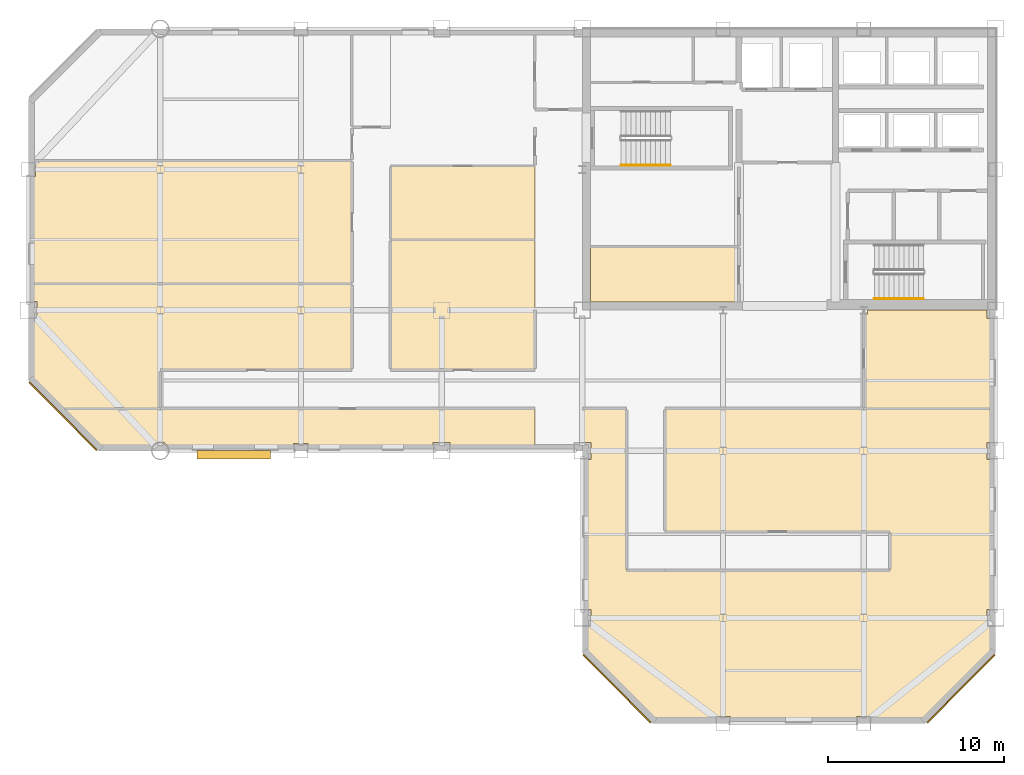
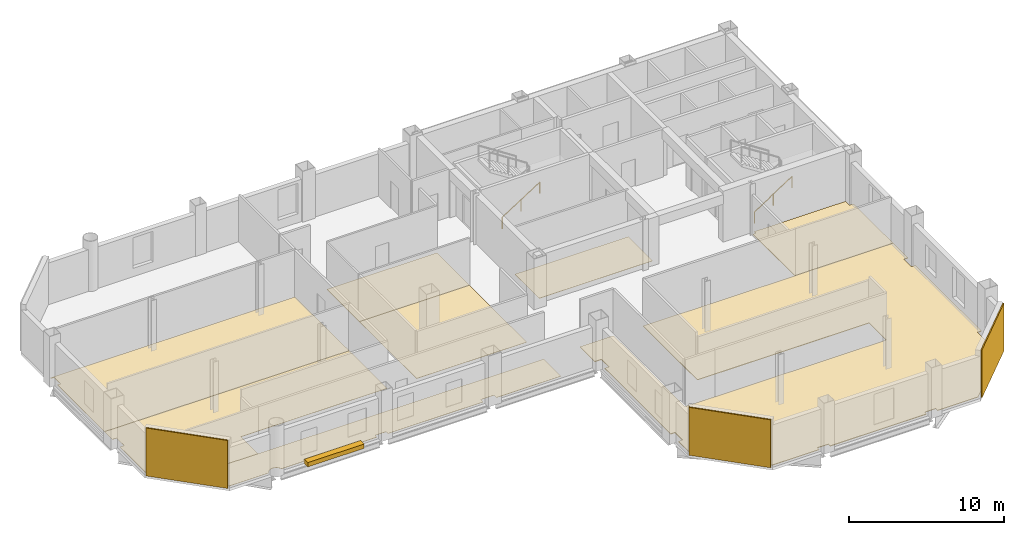
# One storey, part 7 of 10: 11 coverings, 2 railings, 1 shading device.
"""IFC4 building model written with IfcOpenShell, lengths in metres."""

from ifc_helpers import new_model, si_unit, direction, frame, origin, origin_2d, place, context, subcontext, project, spatial, polyline, rectangle, circle, outline, extrude, material, layer, layer_set, type_object, element, save


model = new_model("IFC4")

# Units and contexts
model_context = context("Model", 3, precision=1e-05, world=origin(), true_north=direction((0.0, 1.0)))
body_context = subcontext(model_context, "Body", "Model", "MODEL_VIEW")
ifc_project = project(units=[si_unit("LENGTHUNIT", "METRE"), si_unit("AREAUNIT", "SQUARE_METRE"), si_unit("VOLUMEUNIT", "CUBIC_METRE"), si_unit("PLANEANGLEUNIT", "RADIAN"), si_unit("MASSUNIT", "GRAM", prefix="KILO")], contexts=[model_context])

# Site, building, storey
site_placement = place(None, origin())
site = spatial("IfcSite", under=ifc_project, at=site_placement, CompositionType="ELEMENT")
building_placement = place(site_placement, origin())
building = spatial("IfcBuilding", under=site, at=building_placement, Name="Qianrong Seaharbour Tower", CompositionType="ELEMENT")
storey_placement = place(building_placement, frame((0.0, 0.0, 257.800048828125)))
storey = spatial("IfcBuildingStorey", under=building, at=storey_placement, Name="L62", CompositionType="ELEMENT", Elevation=257.800048828125)

# Coverings
ifc_material_1 = material(Name="Unitised red brick cladding on Precast concrete C45/55", Category="masonry")
ifc_layer_1 = layer(ifc_material_1, 0.080078125)
ifc_layer_set_1 = layer_set([ifc_layer_1], Name="Unitised red brick cladding on Precast concrete C45/55")
covering_type_1 = type_object("IfcCoveringType", Name="COV-CLAD-RED-BRICK-80", PredefinedType="CLADDING", material=ifc_layer_set_1)
for number, where, z_axis, x_axis, name in (
    (1, (10.9716796875, 29.9716796875, 0.0), (0.0, 0.0, 1.0), (-0.707106781187, 0.707106781187, 0.0), "L62 Chamfer Corner Brick Cladding 02"),
    (2, (62.0283203125, 14.4716796875, 0.0), (0.0, 0.0, 1.0), (-0.707106781187, -0.707106781187, 0.0), "L62 Chamfer Corner Brick Cladding 07"),
    (3, (42.4716796875, 14.4716796875, 0.0), (0.0, 0.0, 1.0), (-0.707106781187, 0.707106781187, 0.0), "L62 Chamfer Corner Brick Cladding 09"),
):
    element("IfcCovering", number, at=place(storey_placement, frame(where, z_axis=z_axis, x_axis=x_axis)), inside=storey, type_object=covering_type_1, Name=name, PredefinedType="CLADDING", context=body_context, shape_type="SweptSolid", body=[
        extrude(rectangle(XDim=5.456787109375, YDim=0.080078125, at=origin_2d()), origin(), (0.0, 0.0, 1.0), 3.77490234375),
    ])
ifc_material_2 = material(Name="Acoustic modular carpet tile flooring")
ifc_layer_2 = layer(ifc_material_2, 0.02001953125)
ifc_layer_set_2 = layer_set([ifc_layer_2], Name="Acoustic modular carpet tile flooring")
covering_type_2 = type_object("IfcCoveringType", Name="COV-FLOOR-CARPET-20", PredefinedType="FLOORING", material=ifc_layer_set_2)
covering_1_placement = place(storey_placement, origin())
element("IfcCovering", 4, at=covering_1_placement, inside=storey, type_object=covering_type_2, Name="L62 Wellness Room Finish Flooring", PredefinedType="FLOORING", context=body_context, shape_type="SweptSolid", body=[
    extrude(outline(polyline([(49.39990234375, 39.60009765625), (49.39990234375, 36.4599609375), (40.985107421875, 36.4599609375), (40.985107421875, 36.485107421875), (40.9599609375, 36.485107421875), (40.9599609375, 39.60009765625), (49.39990234375, 39.60009765625)])), origin(), (0.0, 0.0, 1.0), 0.02001953125),
])
covering_2_placement = place(storey_placement, origin())
element("IfcCovering", 5, at=covering_2_placement, inside=storey, type_object=covering_type_2, Name="L62 Occupational Health Clinic 1 Finish Flooring", PredefinedType="FLOORING", context=body_context, shape_type="SweptSolid", body=[
    extrude(outline(polyline([(16.5, 32.60009765625), (16.5, 30.39990234375), (10.847412109375, 30.39990234375), (9.175048828125, 32.072509765625), (9.175048828125, 35.514892578125), (9.485107421875, 35.514892578125), (9.485107421875, 36.485107421875), (9.175048828125, 36.485107421875), (9.175048828125, 37.5), (27.39990234375, 37.5), (27.39990234375, 32.60009765625), (16.5, 32.60009765625)])), origin(), (0.0, 0.0, 1.0), 0.02001953125),
])
covering_3_placement = place(storey_placement, origin())
element("IfcCovering", 6, at=covering_3_placement, inside=storey, type_object=covering_type_2, Name="L62 Physiotherapy Room 2 Finish Flooring", PredefinedType="FLOORING", context=body_context, shape_type="SweptSolid", body=[
    extrude(outline(polyline([(9.175048828125, 37.5), (9.175048828125, 43.590087890625), (9.409912109375, 43.590087890625), (9.409912109375, 44.409912109375), (9.175048828125, 44.409912109375), (9.175048828125, 44.5), (27.39990234375, 44.5), (27.39990234375, 37.5), (9.175048828125, 37.5)])), origin(), (0.0, 0.0, 1.0), 0.02001953125),
])
covering_4_placement = place(storey_placement, origin())
element("IfcCovering", 7, at=covering_4_placement, inside=storey, type_object=covering_type_2, Name="L62 Medical Examination Room 1 Finish Flooring", PredefinedType="FLOORING", context=body_context, shape_type="SweptSolid", body=[
    extrude(outline(polyline([(37.800048828125, 32.60009765625), (29.60009765625, 32.60009765625), (29.60009765625, 40.0), (37.800048828125, 40.0), (37.800048828125, 32.60009765625)])), origin(), (0.0, 0.0, 1.0), 0.02001953125),
])
covering_5_placement = place(storey_placement, origin())
element("IfcCovering", 8, at=covering_5_placement, inside=storey, type_object=covering_type_2, Name="L62 Wet Pantry 2 Finish Flooring", PredefinedType="FLOORING", context=body_context, shape_type="SweptSolid", body=[
    extrude(outline(polyline([(29.60009765625, 44.199951171875), (37.800048828125, 44.199951171875), (37.800048828125, 40.0), (29.60009765625, 40.0), (29.60009765625, 44.199951171875)])), origin(), (0.0, 0.0, 1.0), 0.02001953125),
])
covering_6_placement = place(storey_placement, origin())
element("IfcCovering", 9, at=covering_6_placement, inside=storey, type_object=covering_type_2, Name="L62 Clinical Dispensary Store Finish Flooring", PredefinedType="FLOORING", context=body_context, shape_type="SweptSolid", body=[
    extrude(outline(polyline([(32.985107421875, 28.175048828125), (32.985107421875, 28.485107421875), (32.014892578125, 28.485107421875), (32.014892578125, 28.175048828125), (24.909912109375, 28.175048828125), (24.909912109375, 28.409912109375), (24.090087890625, 28.409912109375), (24.090087890625, 28.175048828125), (16.977294921875, 28.175048828125), (16.97119140625, 28.1953125), (16.924072265625, 28.283203125), (16.860595703125, 28.360595703125), (16.783203125, 28.424072265625), (16.6953125, 28.47119140625), (16.599609375, 28.500244140625), (16.5, 28.510009765625), (16.400390625, 28.500244140625), (16.3046875, 28.47119140625), (16.216796875, 28.424072265625), (16.139404296875, 28.360595703125), (16.075927734375, 28.283203125), (16.02880859375, 28.1953125), (16.022705078125, 28.175048828125), (13.072509765625, 28.175048828125), (10.847412109375, 30.39990234375), (37.800048828125, 30.39990234375), (37.800048828125, 28.175048828125), (32.985107421875, 28.175048828125)])), origin(), (0.0, 0.0, 1.0), 0.02001953125),
])
ifc_material_3 = material(Name="Calcium-sulphate raised access floor tile")
ifc_layer_3 = layer(ifc_material_3, 0.044921875)
ifc_layer_set_3 = layer_set([ifc_layer_3], Name="Calcium-sulphate raised access floor tile")
covering_type_3 = type_object("IfcCoveringType", Name="COV-FLOOR-RAISED-45", PredefinedType="FLOORING", material=ifc_layer_set_3)
covering_7_placement = place(storey_placement, origin())
element("IfcCovering", 10, at=covering_7_placement, inside=storey, type_object=covering_type_3, Name="L62 South Tip Open-Plan Office Finish Flooring", PredefinedType="FLOORING", context=body_context, shape_type="SweptSolid", body=[
    extrude(outline(polyline([(43.0, 21.199951171875), (58.0, 21.199951171875), (58.0, 23.39990234375), (45.199951171875, 23.39990234375), (45.199951171875, 30.39990234375), (63.824951171875, 30.39990234375), (63.824951171875, 28.485107421875), (63.514892578125, 28.485107421875), (63.514892578125, 27.514892578125), (63.824951171875, 27.514892578125), (63.824951171875, 18.985107421875), (63.514892578125, 18.985107421875), (63.514892578125, 18.014892578125), (63.824951171875, 18.014892578125), (63.824951171875, 16.572509765625), (59.927490234375, 12.675048828125), (56.909912109375, 12.675048828125), (56.909912109375, 12.909912109375), (56.090087890625, 12.909912109375), (56.090087890625, 12.675048828125), (48.909912109375, 12.675048828125), (48.909912109375, 12.909912109375), (48.090087890625, 12.909912109375), (48.090087890625, 12.675048828125), (44.572509765625, 12.675048828125), (40.675048828125, 16.572509765625), (40.675048828125, 18.014892578125), (40.985107421875, 18.014892578125), (40.985107421875, 18.985107421875), (40.675048828125, 18.985107421875), (40.675048828125, 27.514892578125), (40.985107421875, 27.514892578125), (40.985107421875, 28.485107421875), (40.5, 28.485107421875), (40.5, 30.39990234375), (43.0, 30.39990234375), (43.0, 21.199951171875)])), origin(), (0.0, 0.0, 1.0), 0.044921875),
])
covering_8_placement = place(storey_placement, origin())
element("IfcCovering", 11, at=covering_8_placement, inside=storey, type_object=covering_type_3, Name="L62 Health Director Office 2 Finish Flooring", PredefinedType="FLOORING", context=body_context, shape_type="SweptSolid", body=[
    extrude(outline(polyline([(63.824951171875, 30.39990234375), (56.5, 30.39990234375), (56.5, 35.7900390625), (56.7099609375, 35.7900390625), (56.7099609375, 36.0), (63.514892578125, 36.0), (63.514892578125, 35.514892578125), (63.824951171875, 35.514892578125), (63.824951171875, 30.39990234375)])), origin(), (0.0, 0.0, 1.0), 0.044921875),
])

# Railings
ifc_material_4 = material(Name="Stainless steel SUS316L continuous handrail", Category="steel")
railing_type = type_object("IfcRailingType", Name="RAIL-STAIR-HANDRAIL-900", PredefinedType="HANDRAIL", material=ifc_material_4)
railing_1_placement = place(storey_placement, frame((42.699951171875, 44.25, 0.181884765625)))
element("IfcRailing", 12, at=railing_1_placement, inside=storey, type_object=railing_type, Name="L62 ST-1 stair handrail 1", PredefinedType="HANDRAIL", context=body_context, shape_type="SweptSolid", body=[
    extrude(circle(Radius=0.02392578125, at=origin_2d()), frame((0.0, 0.0, 0.8759765625), z_axis=(0.838705829183, 0.0, 0.544584733623), x_axis=(0.0, 1.0, 0.0)), (0.0, 0.0, 1.0), 3.338623046875),
    extrude(circle(Radius=0.02099609375, at=origin_2d()), origin(), (0.0, 0.0, 1.0), 0.851806640625),
    extrude(circle(Radius=0.02099609375, at=origin_2d()), frame((1.39990234375, 0.0, 0.9091796875)), (0.0, 0.0, 1.0), 0.851806640625),
    extrude(circle(Radius=0.02099609375, at=origin_2d()), frame((2.800048828125, 0.0, 1.818115234375)), (0.0, 0.0, 1.0), 0.851806640625),
])
railing_2_placement = place(storey_placement, frame((57.10009765625, 36.64990234375, 0.181884765625)))
element("IfcRailing", 13, at=railing_2_placement, inside=storey, type_object=railing_type, Name="L62 ST-2 stair handrail 1", PredefinedType="HANDRAIL", context=body_context, shape_type="SweptSolid", body=[
    extrude(circle(Radius=0.02392578125, at=origin_2d()), frame((0.0, 0.0, 0.8759765625), z_axis=(0.83868413941, 0.0, 0.544618136222), x_axis=(0.0, 1.0, 0.0)), (0.0, 0.0, 1.0), 3.33837890625),
    extrude(circle(Radius=0.02099609375, at=origin_2d()), origin(), (0.0, 0.0, 1.0), 0.851806640625),
    extrude(circle(Radius=0.02099609375, at=origin_2d()), frame((1.39990234375, 0.0, 0.9091796875)), (0.0, 0.0, 1.0), 0.851806640625),
    extrude(circle(Radius=0.02099609375, at=origin_2d()), frame((2.7998046875, 0.0, 1.818115234375)), (0.0, 0.0, 1.0), 0.851806640625),
])

# Shading device
ifc_material_5 = material(Name="White architectural precast concrete C45/55", Category="concrete")
shading_device_type = type_object("IfcShadingDeviceType", Name="SHD-SUNSHADE-WHITE-320", PredefinedType="AWNING", material=ifc_material_5)
shading_device_placement = place(storey_placement, frame((20.675048828125, 27.780029296875, -0.02001953125), z_axis=(0.0, 0.0, 1.0), x_axis=(1.0, 0.0, 0.0)))
element("IfcShadingDevice", 14, at=shading_device_placement, inside=storey, type_object=shading_device_type, Name="L62 Climbing White Precast Ribbon Canopy Fin", PredefinedType="AWNING", context=body_context, shape_type="SweptSolid", body=[
    extrude(rectangle(XDim=4.199951171875, YDim=0.4599609375, at=origin_2d()), origin(), (0.0, 0.0, 1.0), 0.340087890625),
])

save(model, "model.ifc")
